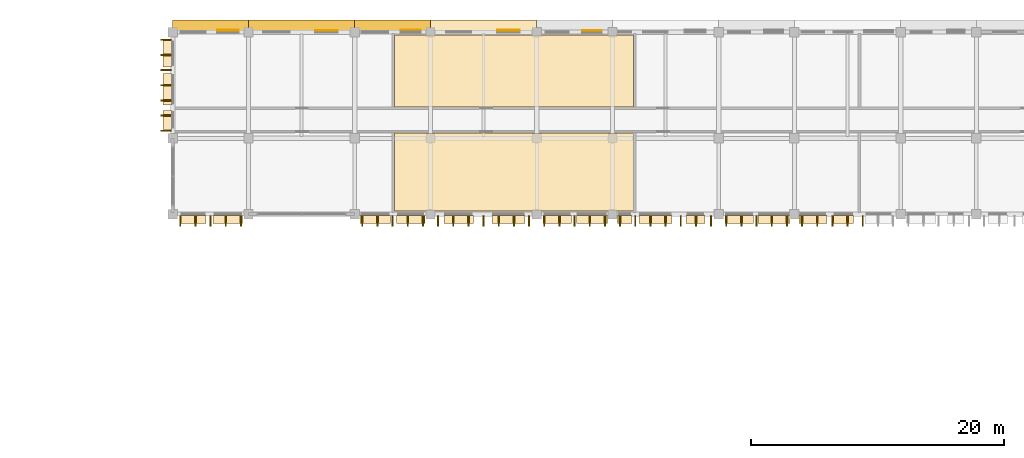
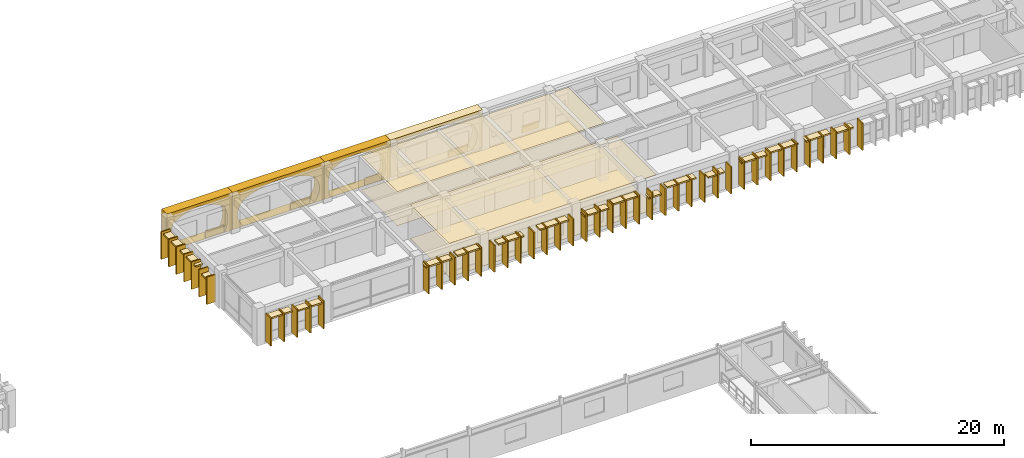
# One storey, part 82 of 88: 77 coverings.
"""IFC4 building model written with IfcOpenShell, lengths in metres."""

import ifcopenshell
import ifcopenshell.guid

model = None  # the IFC model being written
_history = None  # IfcOwnerHistory: only IFC2X3 demands one
_inside = {}  # id of a spatial element -> (the spatial element, [elements in it])
_under = {}  # id of a project, library or spatial element -> (it, [spatial elements below it])
_declared = {}  # id of a project -> (the project, [libraries it declares])
_typed = {}  # id of a type object -> (the type object, [elements of that type])
_made_of = {}  # id of a material, layer set ... -> (it, [elements and type objects made of it])


def new_model(schema):
    """Start an empty IFC model of exactly this schema.

    Asked for "IFC4X3", IfcOpenShell would pick the latest addendum, in which some entities
    have other attributes; the version numbers below select the first issue.
    IFC2X3 requires an IfcOwnerHistory on every rooted entity: one is made here for all.
    """
    global model, _history
    if schema == "IFC4X3":
        model = ifcopenshell.file(schema_version=(4, 3, 0, 0))
    else:
        model = ifcopenshell.file(schema=schema)
    _inside.clear()
    _under.clear()
    _declared.clear()
    _typed.clear()
    _made_of.clear()
    _history = None
    if model.schema == "IFC2X3":
        org = make("IfcOrganization", Name="unknown")
        user = make(
            "IfcPersonAndOrganization",
            ThePerson=make("IfcPerson", FamilyName="unknown"),
            TheOrganization=org,
        )
        app = make(
            "IfcApplication",
            ApplicationDeveloper=org,
            Version="unknown",
            ApplicationFullName="unknown",
            ApplicationIdentifier="unknown",
        )
        _history = make(
            "IfcOwnerHistory",
            OwningUser=user,
            OwningApplication=app,
            ChangeAction="ADDED",
            CreationDate=0,
        )
    return model


def make(cls, **values):
    """One entity of the class cls with the attributes given. An attribute that is None is left unset."""
    return model.create_entity(
        cls, **{name: value for name, value in values.items() if value is not None}
    )


def rooted(cls, **values):
    """An entity with a GlobalId (a new one), such as an element, a storey or a relation."""
    return make(cls, GlobalId=ifcopenshell.guid.new(), OwnerHistory=_history, **values)


def si_unit(unit_type, name, prefix=None):
    """IfcSIUnit, for example si_unit("LENGTHUNIT", "METRE", prefix="MILLI")."""
    return make("IfcSIUnit", UnitType=unit_type, Prefix=prefix, Name=name)


def assignment(units):
    """IfcUnitAssignment: the units of a project."""
    return None if units is None else make("IfcUnitAssignment", Units=units)


def point(xyz):
    """IfcCartesianPoint."""
    return None if xyz is None else make("IfcCartesianPoint", Coordinates=xyz)


def direction(xyz):
    """IfcDirection."""
    return None if xyz is None else make("IfcDirection", DirectionRatios=xyz)


def frame(location, z_axis=None, x_axis=None):
    """IfcAxis2Placement3D, a coordinate frame: its origin and axes. An axis left out is left unset."""
    return make(
        "IfcAxis2Placement3D",
        Location=point(location),
        Axis=direction(z_axis),
        RefDirection=direction(x_axis),
    )


def frame_2d(location, x_axis=None):
    """IfcAxis2Placement2D, a coordinate frame in the plane: its origin and x axis."""
    return make(
        "IfcAxis2Placement2D", Location=point(location), RefDirection=direction(x_axis)
    )


def origin():
    """The frame at (0, 0, 0) with its axes left unset."""
    return frame((0.0, 0.0, 0.0))


def origin_2d():
    """The frame at (0, 0) in the plane with its x axis left unset."""
    return frame_2d((0.0, 0.0))


def place(relative_to, where):
    """IfcLocalPlacement: puts the frame where relative to a parent placement (None: the world)."""
    return make(
        "IfcLocalPlacement", PlacementRelTo=relative_to, RelativePlacement=where
    )


def context(
    kind, dimensions, precision=None, world=None, true_north=None, identifier=None
):
    """IfcGeometricRepresentationContext, for example the 3D "Model" context."""
    return make(
        "IfcGeometricRepresentationContext",
        ContextIdentifier=identifier,
        ContextType=kind,
        CoordinateSpaceDimension=dimensions,
        Precision=precision,
        WorldCoordinateSystem=world,
        TrueNorth=true_north,
    )


def subcontext(parent, identifier, kind, view, scale=None):
    """IfcGeometricRepresentationSubContext, for example "Body" below "Model"."""
    return make(
        "IfcGeometricRepresentationSubContext",
        ContextIdentifier=identifier,
        ContextType=kind,
        ParentContext=parent,
        TargetScale=scale,
        TargetView=view,
    )


def project(units=None, contexts=None):
    """IfcProject with its units and contexts."""
    return rooted(
        "IfcProject",
        Name="project",
        RepresentationContexts=contexts,
        UnitsInContext=assignment(units),
    )


def spatial(cls, under=None, at=None, **own):
    """A site, building, storey or space (cls), placed at a placement, below another one or the project."""
    s = rooted(cls, ObjectPlacement=at, **own)
    if under is not None:
        _under.setdefault(under.id(), (under, []))[1].append(s)
    return s


def polyline(points):
    """IfcPolyline through the points."""
    return make("IfcPolyline", Points=[point(p) for p in points])


def profile(cls, at=None, kind="AREA", **sizes):
    """A parametric profile (cls). Its sizes go by their IFC names, for example OverallWidth=200.0."""
    return make(cls, ProfileType=kind, Position=at, **sizes)


def rectangle(**sizes):
    """IfcRectangleProfileDef."""
    return profile("IfcRectangleProfileDef", **sizes)


def outline(outer, holes=None, kind="AREA"):
    """IfcArbitraryClosedProfileDef: a profile drawn as a closed curve; with holes, ...WithVoids."""
    if holes is None:
        return make("IfcArbitraryClosedProfileDef", ProfileType=kind, OuterCurve=outer)
    return make(
        "IfcArbitraryProfileDefWithVoids",
        ProfileType=kind,
        OuterCurve=outer,
        InnerCurves=holes,
    )


def extrude(swept, where, along, depth):
    """IfcExtrudedAreaSolid: the profile swept, set in the frame where, extruded along a direction by depth."""
    return make(
        "IfcExtrudedAreaSolid",
        SweptArea=swept,
        Position=where,
        ExtrudedDirection=direction(along),
        Depth=depth,
    )


def shape(context_of_items, identifier, shape_type, items):
    """IfcShapeRepresentation: the items that make up one representation, for example the "Body"."""
    return make(
        "IfcShapeRepresentation",
        ContextOfItems=context_of_items,
        RepresentationIdentifier=identifier,
        RepresentationType=shape_type,
        Items=items,
    )


def material(Name=None, Category=None):
    """IfcMaterial."""
    return make("IfcMaterial", Name=Name, Category=Category)


def layer(
    of_material, thickness, ventilated=None, Name=None, Category=None, Priority=None
):
    """IfcMaterialLayer: one layer of a wall or slab, of a material (None: an air gap)."""
    return make(
        "IfcMaterialLayer",
        Material=of_material,
        LayerThickness=thickness,
        IsVentilated=ventilated,
        Name=Name,
        Category=Category,
        Priority=Priority,
    )


def layer_set(layers, Name=None):
    """IfcMaterialLayerSet."""
    return make("IfcMaterialLayerSet", MaterialLayers=layers, LayerSetName=Name)


def made_of(thing, what):
    """Note that an element or type object is made of a material, layer set ...; save() writes the relation."""
    if what is not None:
        _made_of.setdefault(what.id(), (what, []))[1].append(thing)
    return thing


def type_object(cls, material=None, **own):
    """A type object (cls), such as IfcWallType, which elements share."""
    return made_of(rooted(cls, **own), material)


def element(
    cls,
    number,
    at=None,
    inside=None,
    cuts=None,
    type_object=None,
    material=None,
    context=None,
    identifier="Body",
    shape_type=None,
    held_by="IfcProductDefinitionShape",
    body=None,
    shapes=None,
    **own,
):
    """One element of the class cls, such as IfcWall. Its Tag is "e" and its number.

    at: its placement. inside: the storey or other place that contains it. cuts: it is an
    opening in that element (IfcRelVoidsElement). A single representation is given by context,
    identifier, shape_type and body (its items); several are given by shapes. held_by: the class
    of the entity that holds the representations. save() writes the other relations.
    """
    e = rooted(cls, Tag="e%d" % number, ObjectPlacement=at, **own)
    if body is not None:
        shapes = [shape(context, identifier, shape_type, body)]
    if shapes is not None:
        e.Representation = make(held_by, Representations=shapes)
    if inside is not None:
        _inside.setdefault(inside.id(), (inside, []))[1].append(e)
    if cuts is not None:
        rooted(
            "IfcRelVoidsElement", RelatingBuildingElement=cuts, RelatedOpeningElement=e
        )
    if type_object is not None:
        _typed.setdefault(type_object.id(), (type_object, []))[1].append(e)
    return made_of(e, material)


def aggregate(whole, parts):
    """IfcRelAggregates: a whole, such as a stair, and the parts it consists of."""
    return rooted("IfcRelAggregates", RelatingObject=whole, RelatedObjects=parts)


def save(model, path):
    """Write the relations noted so far, then the file.

    IfcRelAggregates (storeys below a building ...), IfcRelContainedInSpatialStructure (elements
    in a storey), IfcRelDefinesByType, IfcRelAssociatesMaterial and IfcRelDeclares: one each for
    every whole, place, type object, material and project.
    """
    for whole, parts in _under.values():
        aggregate(whole, parts)
    for where, things in _inside.values():
        rooted(
            "IfcRelContainedInSpatialStructure",
            RelatedElements=things,
            RelatingStructure=where,
        )
    for kind, things in _typed.values():
        rooted("IfcRelDefinesByType", RelatedObjects=things, RelatingType=kind)
    for what, things in _made_of.values():
        rooted("IfcRelAssociatesMaterial", RelatedObjects=things, RelatingMaterial=what)
    for by, libraries in _declared.values():
        rooted("IfcRelDeclares", RelatingContext=by, RelatedDefinitions=libraries)
    model.write(path)


model = new_model("IFC4")

# Units and contexts
model_context = context("Model", 3, precision=1e-05, world=origin(), true_north=direction((0.0, 1.0)))
body_context = subcontext(model_context, "Body", "Model", "MODEL_VIEW")
ifc_project = project(units=[si_unit("LENGTHUNIT", "METRE"), si_unit("AREAUNIT", "SQUARE_METRE"), si_unit("VOLUMEUNIT", "CUBIC_METRE"), si_unit("PLANEANGLEUNIT", "RADIAN"), si_unit("MASSUNIT", "GRAM", prefix="KILO"), si_unit("THERMODYNAMICTEMPERATUREUNIT", "KELVIN")], contexts=[model_context])

# Site, building, storey
site_placement = place(None, origin())
site = spatial("IfcSite", under=ifc_project, at=site_placement, CompositionType="ELEMENT")
building_placement = place(site_placement, origin())
building = spatial("IfcBuilding", under=site, at=building_placement, Name="Thalorik Housing Commons", CompositionType="ELEMENT")
storey_placement = place(building_placement, frame((0.0, 0.0, 4.5)))
storey = spatial("IfcBuildingStorey", under=building, at=storey_placement, Name="L01", CompositionType="ELEMENT", Elevation=4.5)

# Coverings
ifc_material_1 = material(Name="Cobalt blue glazed ceramic facade tile panel", Category="masonry")
ifc_layer_1 = layer(ifc_material_1, 0.06005859375, Name="Cobalt blue glazed ceramic facade tile panel", Category="masonry")
ifc_layer_set_1 = layer_set([ifc_layer_1], Name="Cobalt blue glazed ceramic facade tile panel")
covering_type_1 = type_object("IfcCoveringType", Name="ARC-CLD-BLU-60", PredefinedType="CLADDING", material=ifc_layer_set_1)
covering_1_placement = place(storey_placement, frame((106.969970703125, 123.742431640625, 0.0498046875), z_axis=(0.0, 0.0, 1.0), x_axis=(-1.0, 0.0, 0.0)))
element("IfcCovering", 1, at=covering_1_placement, inside=storey, type_object=covering_type_1, Name="L01 De Stijl Recessed Window Spandrel 1515", PredefinedType="CLADDING", context=body_context, shape_type="SweptSolid", body=[
    extrude(rectangle(XDim=1.75, YDim=0.06005859375, at=origin_2d()), origin(), (0.0, 0.0, 1.0), 0.699951171875),
])
covering_2_placement = place(storey_placement, frame((84.77001953125, 123.742431640625, 0.0498046875), z_axis=(0.0, 0.0, 1.0), x_axis=(-1.0, 0.0, 0.0)))
element("IfcCovering", 2, at=covering_2_placement, inside=storey, type_object=covering_type_1, Name="L01 De Stijl Recessed Window Spandrel 1521", PredefinedType="CLADDING", context=body_context, shape_type="SweptSolid", body=[
    extrude(rectangle(XDim=1.699951171875, YDim=0.06005859375, at=origin_2d()), origin(), (0.0, 0.0, 1.0), 0.699951171875),
])
ifc_material_2 = material(Name="Precast concrete C40/50", Category="concrete")
ifc_layer_2 = layer(ifc_material_2, 0.85009765625, Name="Precast concrete C40/50", Category="concrete")
ifc_layer_set_2 = layer_set([ifc_layer_2], Name="Precast concrete C40/50")
covering_type_2 = type_object("IfcCoveringType", Name="ARC-CLD-CUSH-850", PredefinedType="CLADDING", material=ifc_layer_set_2)
covering_3_placement = place(storey_placement, frame((105.0, 124.132568359375, 0.0), z_axis=(0.0, 0.0, 1.0), x_axis=(-1.0, 0.0, 0.0)))
element("IfcCovering", 3, at=covering_3_placement, inside=storey, type_object=covering_type_2, Name="L01 White Precast Curved Cushion Bay Frame 1514", PredefinedType="CLADDING", context=body_context, shape_type="SweptSolid", body=[
    extrude(outline(polyline([(-4.199951171875, 0.0), (4.199951171875, 0.0), (4.199951171875, 3.60009765625), (-4.199951171875, 3.60009765625), (-4.199951171875, 0.0)]), holes=[polyline([(3.239990234375, 0.02490234375), (3.523193359375, 0.44921875), (3.693359375, 0.873291015625), (3.75, 1.297607421875), (3.693359375, 1.7216796875), (3.523193359375, 2.145751953125), (3.239990234375, 2.570068359375), (2.699951171875, 2.804443359375), (2.159912109375, 2.98828125), (1.6201171875, 3.1376953125), (1.080078125, 3.248291015625), (0.5400390625, 3.31689453125), (0.0, 3.340087890625), (-0.5400390625, 3.31689453125), (-1.080078125, 3.248291015625), (-1.6201171875, 3.1376953125), (-2.159912109375, 2.98828125), (-2.699951171875, 2.804443359375), (-3.239990234375, 2.570068359375), (-3.523193359375, 2.145751953125), (-3.693359375, 1.7216796875), (-3.75, 1.297607421875), (-3.693359375, 0.873291015625), (-3.523193359375, 0.44921875), (-3.239990234375, 0.02490234375), (3.239990234375, 0.02490234375)])]), frame((0.0, 0.425048828125, 0.0), z_axis=(0.0, -1.0, 0.0), x_axis=(1.0, 0.0, 0.0)), (0.0, 0.0, 1.0), 0.85009765625),
])
covering_4_placement = place(storey_placement, frame((97.800048828125, 124.132568359375, 0.0), z_axis=(0.0, 0.0, 1.0), x_axis=(-1.0, 0.0, 0.0)))
element("IfcCovering", 4, at=covering_4_placement, inside=storey, type_object=covering_type_2, Name="L01 White Precast Curved Cushion Bay Frame 1516", PredefinedType="CLADDING", context=body_context, shape_type="SweptSolid", body=[
    extrude(outline(polyline([(-3.0, 0.0), (3.0, 0.0), (3.0, 3.60009765625), (-3.0, 3.60009765625), (-3.0, 0.0)]), holes=[polyline([(2.47509765625, 0.02490234375), (2.585693359375, 0.4375), (2.65234375, 0.85009765625), (2.674560546875, 1.262451171875), (2.65234375, 1.675048828125), (2.585693359375, 2.08740234375), (2.47509765625, 2.5), (2.080322265625, 2.755615234375), (1.685791015625, 2.956298828125), (1.291259765625, 3.119140625), (0.896728515625, 3.239990234375), (0.502197265625, 3.314697265625), (0.107421875, 3.340087890625), (-0.287109375, 3.314697265625), (-0.681640625, 3.239990234375), (-1.076171875, 3.119140625), (-1.470703125, 2.956298828125), (-1.865478515625, 2.755615234375), (-2.260009765625, 2.5), (-2.421142578125, 2.08740234375), (-2.517822265625, 1.675048828125), (-2.550048828125, 1.262451171875), (-2.517822265625, 0.85009765625), (-2.421142578125, 0.4375), (-2.260009765625, 0.02490234375), (2.47509765625, 0.02490234375)])]), frame((0.0, 0.425048828125, 0.0), z_axis=(0.0, -1.0, 0.0), x_axis=(1.0, 0.0, 0.0)), (0.0, 0.0, 1.0), 0.85009765625),
])
covering_5_placement = place(storey_placement, frame((90.60009765625, 124.132568359375, 0.0), z_axis=(0.0, 0.0, 1.0), x_axis=(-1.0, 0.0, 0.0)))
element("IfcCovering", 5, at=covering_5_placement, inside=storey, type_object=covering_type_2, Name="L01 White Precast Curved Cushion Bay Frame 1518", PredefinedType="CLADDING", context=body_context, shape_type="SweptSolid", body=[
    extrude(outline(polyline([(-4.199951171875, 0.0), (4.199951171875, 0.0), (4.199951171875, 3.60009765625), (-4.199951171875, 3.60009765625), (-4.199951171875, 0.0)]), holes=[polyline([(3.239990234375, 0.02490234375), (3.523193359375, 0.44091796875), (3.693359375, 0.856689453125), (3.75, 1.2724609375), (3.693359375, 1.688232421875), (3.523193359375, 2.104248046875), (3.239990234375, 2.52001953125), (2.699951171875, 2.76953125), (2.159912109375, 2.965576171875), (1.6201171875, 3.12451171875), (1.080078125, 3.242431640625), (0.5400390625, 3.3154296875), (0.0, 3.340087890625), (-0.5400390625, 3.3154296875), (-1.080078125, 3.242431640625), (-1.6201171875, 3.12451171875), (-2.159912109375, 2.965576171875), (-2.699951171875, 2.76953125), (-3.239990234375, 2.52001953125), (-3.523193359375, 2.104248046875), (-3.693359375, 1.688232421875), (-3.75, 1.2724609375), (-3.693359375, 0.856689453125), (-3.523193359375, 0.44091796875), (-3.239990234375, 0.02490234375), (3.239990234375, 0.02490234375)])]), frame((0.0, 0.425048828125, 0.0), z_axis=(0.0, -1.0, 0.0), x_axis=(1.0, 0.0, 0.0)), (0.0, 0.0, 1.0), 0.85009765625),
])
covering_6_placement = place(storey_placement, frame((83.39990234375, 124.132568359375, 0.0), z_axis=(0.0, 0.0, 1.0), x_axis=(-1.0, 0.0, 0.0)))
element("IfcCovering", 6, at=covering_6_placement, inside=storey, type_object=covering_type_2, Name="L01 White Precast Curved Cushion Bay Frame 1520", PredefinedType="CLADDING", context=body_context, shape_type="SweptSolid", body=[
    extrude(outline(polyline([(-3.0, 0.0), (3.0, 0.0), (3.0, 3.60009765625), (-3.0, 3.60009765625), (-3.0, 0.0)]), holes=[polyline([(2.419921875, 0.02490234375), (2.54248046875, 0.4375), (2.615966796875, 0.85009765625), (2.640380859375, 1.262451171875), (2.615966796875, 1.675048828125), (2.54248046875, 2.08740234375), (2.419921875, 2.5), (2.029296875, 2.755615234375), (1.63818359375, 2.956298828125), (1.24755859375, 3.119140625), (0.856689453125, 3.239990234375), (0.4658203125, 3.314697265625), (0.074951171875, 3.340087890625), (-0.31591796875, 3.314697265625), (-0.706787109375, 3.239990234375), (-1.097412109375, 3.119140625), (-1.48828125, 2.956298828125), (-1.879150390625, 2.755615234375), (-2.27001953125, 2.5), (-2.425537109375, 2.08740234375), (-2.518798828125, 1.675048828125), (-2.550048828125, 1.262451171875), (-2.518798828125, 0.85009765625), (-2.425537109375, 0.4375), (-2.27001953125, 0.02490234375), (2.419921875, 0.02490234375)])]), frame((0.0, 0.425048828125, 0.0), z_axis=(0.0, -1.0, 0.0), x_axis=(1.0, 0.0, 0.0)), (0.0, 0.0, 1.0), 0.85009765625),
])
ifc_layer_3 = layer(ifc_material_2, 0.85009765625, Name="Precast concrete C40/50", Category="concrete")
ifc_layer_set_3 = layer_set([ifc_layer_3], Name="Precast concrete C40/50")
covering_type_3 = type_object("IfcCoveringType", Name="ARC-CLD-FIN-850", PredefinedType="CLADDING", material=ifc_layer_set_3)
for number, where, z_axis, x_axis, name in (
    (7, (79.867431640625, 123.0, 0.0400390625), (0.0, 0.0, 1.0), (0.0, -1.0, 0.0), "L01 Courtyard Precast Vertical Brise-Soleil Fin 1522"),
    (8, (79.867431640625, 121.800048828125, 0.0400390625), (0.0, 0.0, 1.0), (0.0, -1.0, 0.0), "L01 Courtyard Precast Vertical Brise-Soleil Fin 1523"),
    (9, (79.867431640625, 120.60009765625, 0.0400390625), (0.0, 0.0, 1.0), (0.0, -1.0, 0.0), "L01 Courtyard Precast Vertical Brise-Soleil Fin 1524"),
    (10, (79.867431640625, 119.39990234375, 0.0400390625), (0.0, 0.0, 1.0), (0.0, -1.0, 0.0), "L01 Courtyard Precast Vertical Brise-Soleil Fin 1525"),
    (11, (79.867431640625, 118.199951171875, 0.0400390625), (0.0, 0.0, 1.0), (0.0, -1.0, 0.0), "L01 Courtyard Precast Vertical Brise-Soleil Fin 1526"),
    (12, (79.867431640625, 117.0, 0.0400390625), (0.0, 0.0, 1.0), (0.0, -1.0, 0.0), "L01 Courtyard Precast Vertical Brise-Soleil Fin 1527"),
    (13, (79.867431640625, 115.800048828125, 0.0400390625), (0.0, 0.0, 1.0), (0.0, -1.0, 0.0), "L01 Courtyard Precast Vertical Brise-Soleil Fin 1528"),
):
    element("IfcCovering", number, at=place(storey_placement, frame(where, z_axis=z_axis, x_axis=x_axis)), inside=storey, type_object=covering_type_3, Name=name, PredefinedType="CLADDING", context=body_context, shape_type="SweptSolid", body=[
        extrude(rectangle(XDim=0.110107421875, YDim=0.85009765625, at=origin_2d()), origin(), (0.0, 0.0, 1.0), 2.64501953125),
    ])
for number, where, z_axis, x_axis, name in (
    (14, (81.0, 108.66748046875, 0.0400390625), (0.0, 0.0, 1.0), (1.0, 0.0, 0.0), "L01 Courtyard Precast Vertical Brise-Soleil Fin 1532"),
    (15, (82.199951171875, 108.66748046875, 0.0400390625), (0.0, 0.0, 1.0), (1.0, 0.0, 0.0), "L01 Courtyard Precast Vertical Brise-Soleil Fin 1533"),
    (16, (83.39990234375, 108.66748046875, 0.0400390625), (0.0, 0.0, 1.0), (1.0, 0.0, 0.0), "L01 Courtyard Precast Vertical Brise-Soleil Fin 1534"),
    (17, (84.60009765625, 108.66748046875, 0.0400390625), (0.0, 0.0, 1.0), (1.0, 0.0, 0.0), "L01 Courtyard Precast Vertical Brise-Soleil Fin 1535"),
    (18, (85.800048828125, 108.66748046875, 0.0400390625), (0.0, 0.0, 1.0), (1.0, 0.0, 0.0), "L01 Courtyard Precast Vertical Brise-Soleil Fin 1536"),
    (19, (95.39990234375, 108.66748046875, 0.0400390625), (0.0, 0.0, 1.0), (1.0, 0.0, 0.0), "L01 Courtyard Precast Vertical Brise-Soleil Fin 1539"),
    (20, (96.60009765625, 108.66748046875, 0.0400390625), (0.0, 0.0, 1.0), (1.0, 0.0, 0.0), "L01 Courtyard Precast Vertical Brise-Soleil Fin 1540"),
    (21, (97.800048828125, 108.66748046875, 0.0400390625), (0.0, 0.0, 1.0), (1.0, 0.0, 0.0), "L01 Courtyard Precast Vertical Brise-Soleil Fin 1541"),
    (22, (99.0, 108.66748046875, 0.0400390625), (0.0, 0.0, 1.0), (1.0, 0.0, 0.0), "L01 Courtyard Precast Vertical Brise-Soleil Fin 1542"),
    (23, (100.199951171875, 108.66748046875, 0.0400390625), (0.0, 0.0, 1.0), (1.0, 0.0, 0.0), "L01 Courtyard Precast Vertical Brise-Soleil Fin 1543"),
):
    element("IfcCovering", number, at=place(storey_placement, frame(where, z_axis=z_axis, x_axis=x_axis)), inside=storey, type_object=covering_type_3, Name=name, PredefinedType="CLADDING", context=body_context, shape_type="SweptSolid", body=[
        extrude(rectangle(XDim=0.110107421875, YDim=0.85009765625, at=origin_2d()), origin(), (0.0, 0.0, 1.0), 2.695068359375),
    ])
for number, where, z_axis, x_axis, name in (
    (24, (101.39990234375, 108.66748046875, 0.0400390625), (0.0, 0.0, 1.0), (1.0, 0.0, 0.0), "L01 Courtyard Precast Vertical Brise-Soleil Fin 1546"),
    (25, (102.60009765625, 108.66748046875, 0.0400390625), (0.0, 0.0, 1.0), (1.0, 0.0, 0.0), "L01 Courtyard Precast Vertical Brise-Soleil Fin 1547"),
    (26, (103.800048828125, 108.66748046875, 0.0400390625), (0.0, 0.0, 1.0), (1.0, 0.0, 0.0), "L01 Courtyard Precast Vertical Brise-Soleil Fin 1548"),
    (27, (105.0, 108.66748046875, 0.0400390625), (0.0, 0.0, 1.0), (1.0, 0.0, 0.0), "L01 Courtyard Precast Vertical Brise-Soleil Fin 1549"),
    (28, (106.199951171875, 108.66748046875, 0.0400390625), (0.0, 0.0, 1.0), (1.0, 0.0, 0.0), "L01 Courtyard Precast Vertical Brise-Soleil Fin 1550"),
    (29, (107.39990234375, 108.66748046875, 0.0400390625), (0.0, 0.0, 1.0), (1.0, 0.0, 0.0), "L01 Courtyard Precast Vertical Brise-Soleil Fin 1551"),
    (30, (108.60009765625, 108.66748046875, 0.0400390625), (0.0, 0.0, 1.0), (1.0, 0.0, 0.0), "L01 Courtyard Precast Vertical Brise-Soleil Fin 1552"),
):
    element("IfcCovering", number, at=place(storey_placement, frame(where, z_axis=z_axis, x_axis=x_axis)), inside=storey, type_object=covering_type_3, Name=name, PredefinedType="CLADDING", context=body_context, shape_type="SweptSolid", body=[
        extrude(rectangle(XDim=0.110107421875, YDim=0.85009765625, at=origin_2d()), origin(), (0.0, 0.0, 1.0), 2.594970703125),
    ])
for number, where, z_axis, x_axis, name in (
    (31, (109.800048828125, 108.66748046875, 0.0400390625), (0.0, 0.0, 1.0), (1.0, 0.0, 0.0), "L01 Courtyard Precast Vertical Brise-Soleil Fin 1555"),
    (32, (111.0, 108.66748046875, 0.0400390625), (0.0, 0.0, 1.0), (1.0, 0.0, 0.0), "L01 Courtyard Precast Vertical Brise-Soleil Fin 1556"),
    (33, (112.199951171875, 108.66748046875, 0.0400390625), (0.0, 0.0, 1.0), (1.0, 0.0, 0.0), "L01 Courtyard Precast Vertical Brise-Soleil Fin 1557"),
    (34, (113.39990234375, 108.66748046875, 0.0400390625), (0.0, 0.0, 1.0), (1.0, 0.0, 0.0), "L01 Courtyard Precast Vertical Brise-Soleil Fin 1558"),
    (35, (114.60009765625, 108.66748046875, 0.0400390625), (0.0, 0.0, 1.0), (1.0, 0.0, 0.0), "L01 Courtyard Precast Vertical Brise-Soleil Fin 1559"),
):
    element("IfcCovering", number, at=place(storey_placement, frame(where, z_axis=z_axis, x_axis=x_axis)), inside=storey, type_object=covering_type_3, Name=name, PredefinedType="CLADDING", context=body_context, shape_type="SweptSolid", body=[
        extrude(rectangle(XDim=0.110107421875, YDim=0.85009765625, at=origin_2d()), origin(), (0.0, 0.0, 1.0), 2.695068359375),
    ])
for number, where, z_axis, x_axis, name in (
    (36, (115.800048828125, 108.66748046875, 0.0400390625), (0.0, 0.0, 1.0), (1.0, 0.0, 0.0), "L01 Courtyard Precast Vertical Brise-Soleil Fin 1562"),
    (37, (117.0, 108.66748046875, 0.0400390625), (0.0, 0.0, 1.0), (1.0, 0.0, 0.0), "L01 Courtyard Precast Vertical Brise-Soleil Fin 1563"),
    (38, (118.199951171875, 108.66748046875, 0.0400390625), (0.0, 0.0, 1.0), (1.0, 0.0, 0.0), "L01 Courtyard Precast Vertical Brise-Soleil Fin 1564"),
    (39, (119.39990234375, 108.66748046875, 0.0400390625), (0.0, 0.0, 1.0), (1.0, 0.0, 0.0), "L01 Courtyard Precast Vertical Brise-Soleil Fin 1565"),
    (40, (120.60009765625, 108.66748046875, 0.0400390625), (0.0, 0.0, 1.0), (1.0, 0.0, 0.0), "L01 Courtyard Precast Vertical Brise-Soleil Fin 1566"),
    (41, (121.800048828125, 108.66748046875, 0.0400390625), (0.0, 0.0, 1.0), (1.0, 0.0, 0.0), "L01 Courtyard Precast Vertical Brise-Soleil Fin 1567"),
    (42, (123.0, 108.66748046875, 0.0400390625), (0.0, 0.0, 1.0), (1.0, 0.0, 0.0), "L01 Courtyard Precast Vertical Brise-Soleil Fin 1568"),
):
    element("IfcCovering", number, at=place(storey_placement, frame(where, z_axis=z_axis, x_axis=x_axis)), inside=storey, type_object=covering_type_3, Name=name, PredefinedType="CLADDING", context=body_context, shape_type="SweptSolid", body=[
        extrude(rectangle(XDim=0.110107421875, YDim=0.85009765625, at=origin_2d()), origin(), (0.0, 0.0, 1.0), 2.594970703125),
    ])
for number, where, z_axis, x_axis, name in (
    (43, (124.199951171875, 108.66748046875, 0.0400390625), (0.0, 0.0, 1.0), (1.0, 0.0, 0.0), "L01 Courtyard Precast Vertical Brise-Soleil Fin 1572"),
    (44, (125.39990234375, 108.66748046875, 0.0400390625), (0.0, 0.0, 1.0), (1.0, 0.0, 0.0), "L01 Courtyard Precast Vertical Brise-Soleil Fin 1573"),
    (45, (126.60009765625, 108.66748046875, 0.0400390625), (0.0, 0.0, 1.0), (1.0, 0.0, 0.0), "L01 Courtyard Precast Vertical Brise-Soleil Fin 1574"),
    (46, (127.800048828125, 108.66748046875, 0.0400390625), (0.0, 0.0, 1.0), (1.0, 0.0, 0.0), "L01 Courtyard Precast Vertical Brise-Soleil Fin 1575"),
    (47, (129.0, 108.66748046875, 0.0400390625), (0.0, 0.0, 1.0), (1.0, 0.0, 0.0), "L01 Courtyard Precast Vertical Brise-Soleil Fin 1576"),
):
    element("IfcCovering", number, at=place(storey_placement, frame(where, z_axis=z_axis, x_axis=x_axis)), inside=storey, type_object=covering_type_3, Name=name, PredefinedType="CLADDING", context=body_context, shape_type="SweptSolid", body=[
        extrude(rectangle(XDim=0.110107421875, YDim=0.85009765625, at=origin_2d()), origin(), (0.0, 0.0, 1.0), 2.695068359375),
    ])
for number, where, z_axis, x_axis, name in (
    (48, (130.199951171875, 108.66748046875, 0.0400390625), (0.0, 0.0, 1.0), (1.0, 0.0, 0.0), "L01 Courtyard Precast Vertical Brise-Soleil Fin 1579"),
    (49, (131.39990234375, 108.66748046875, 0.0400390625), (0.0, 0.0, 1.0), (1.0, 0.0, 0.0), "L01 Courtyard Precast Vertical Brise-Soleil Fin 1580"),
    (50, (132.60009765625, 108.66748046875, 0.0400390625), (0.0, 0.0, 1.0), (1.0, 0.0, 0.0), "L01 Courtyard Precast Vertical Brise-Soleil Fin 1581"),
    (51, (133.800048828125, 108.66748046875, 0.0400390625), (0.0, 0.0, 1.0), (1.0, 0.0, 0.0), "L01 Courtyard Precast Vertical Brise-Soleil Fin 1582"),
    (52, (135.0, 108.66748046875, 0.0400390625), (0.0, 0.0, 1.0), (1.0, 0.0, 0.0), "L01 Courtyard Precast Vertical Brise-Soleil Fin 1583"),
):
    element("IfcCovering", number, at=place(storey_placement, frame(where, z_axis=z_axis, x_axis=x_axis)), inside=storey, type_object=covering_type_3, Name=name, PredefinedType="CLADDING", context=body_context, shape_type="SweptSolid", body=[
        extrude(rectangle(XDim=0.110107421875, YDim=0.85009765625, at=origin_2d()), origin(), (0.0, 0.0, 1.0), 2.594970703125),
    ])
ifc_layer_4 = layer(ifc_material_2, 0.64990234375, Name="Precast concrete C40/50", Category="concrete")
ifc_layer_set_4 = layer_set([ifc_layer_4], Name="Precast concrete C40/50")
covering_type_4 = type_object("IfcCoveringType", Name="ARC-CLD-HOOD-650", PredefinedType="CLADDING", material=ifc_layer_set_4)
covering_7_placement = place(storey_placement, frame((79.967529296875, 121.91748046875, 2.31005859375), z_axis=(0.0, 0.0, 1.0), x_axis=(0.0, -1.0, 0.0)))
element("IfcCovering", 53, at=covering_7_placement, inside=storey, type_object=covering_type_4, Name="L01 Courtyard Precast Window Sun-Hood 1529", PredefinedType="CLADDING", context=body_context, shape_type="SweptSolid", body=[
    extrude(rectangle(XDim=2.1201171875, YDim=0.64990234375, at=origin_2d()), origin(), (0.0, 0.0, 1.0), 0.139892578125),
])
covering_8_placement = place(storey_placement, frame((79.967529296875, 119.072509765625, 2.31005859375), z_axis=(0.0, 0.0, 1.0), x_axis=(0.0, -1.0, 0.0)))
element("IfcCovering", 54, at=covering_8_placement, inside=storey, type_object=covering_type_4, Name="L01 Courtyard Precast Window Sun-Hood 1530", PredefinedType="CLADDING", context=body_context, shape_type="SweptSolid", body=[
    extrude(rectangle(XDim=2.47998046875, YDim=0.64990234375, at=origin_2d()), origin(), (0.0, 0.0, 1.0), 0.139892578125),
])
covering_9_placement = place(storey_placement, frame((79.967529296875, 116.64990234375, 2.08984375), z_axis=(0.0, 0.0, 1.0), x_axis=(0.0, -1.0, 0.0)))
element("IfcCovering", 55, at=covering_9_placement, inside=storey, type_object=covering_type_4, Name="L01 Courtyard Precast Window Sun-Hood 1531", PredefinedType="CLADDING", context=body_context, shape_type="SweptSolid", body=[
    extrude(rectangle(XDim=1.489990234375, YDim=0.64990234375, at=origin_2d()), origin(), (0.0, 0.0, 1.0), 0.139892578125),
])
covering_10_placement = place(storey_placement, frame((82.030029296875, 108.767578125, 2.490234375), z_axis=(0.0, 0.0, 1.0), x_axis=(1.0, 0.0, 0.0)))
element("IfcCovering", 56, at=covering_10_placement, inside=storey, type_object=covering_type_4, Name="L01 Courtyard Precast Window Sun-Hood 1537", PredefinedType="CLADDING", context=body_context, shape_type="SweptSolid", body=[
    extrude(rectangle(XDim=2.0400390625, YDim=0.64990234375, at=origin_2d()), origin(), (0.0, 0.0, 1.0), 0.139892578125),
])
covering_11_placement = place(storey_placement, frame((84.77001953125, 108.767578125, 2.33984375), z_axis=(0.0, 0.0, 1.0), x_axis=(1.0, 0.0, 0.0)))
element("IfcCovering", 57, at=covering_11_placement, inside=storey, type_object=covering_type_4, Name="L01 Courtyard Precast Window Sun-Hood 1538", PredefinedType="CLADDING", context=body_context, shape_type="SweptSolid", body=[
    extrude(rectangle(XDim=2.340087890625, YDim=0.64990234375, at=origin_2d()), origin(), (0.0, 0.0, 1.0), 0.139892578125),
])
covering_12_placement = place(storey_placement, frame((96.425048828125, 108.767578125, 2.43994140625), z_axis=(0.0, 0.0, 1.0), x_axis=(1.0, 0.0, 0.0)))
element("IfcCovering", 58, at=covering_12_placement, inside=storey, type_object=covering_type_4, Name="L01 Courtyard Precast Window Sun-Hood 1544", PredefinedType="CLADDING", context=body_context, shape_type="SweptSolid", body=[
    extrude(rectangle(XDim=2.389892578125, YDim=0.64990234375, at=origin_2d()), origin(), (0.0, 0.0, 1.0), 0.139892578125),
])
covering_13_placement = place(storey_placement, frame((99.235107421875, 108.767578125, 2.5400390625), z_axis=(0.0, 0.0, 1.0), x_axis=(1.0, 0.0, 0.0)))
element("IfcCovering", 59, at=covering_13_placement, inside=storey, type_object=covering_type_4, Name="L01 Courtyard Precast Window Sun-Hood 1545", PredefinedType="CLADDING", context=body_context, shape_type="SweptSolid", body=[
    extrude(rectangle(XDim=2.239990234375, YDim=0.64990234375, at=origin_2d()), origin(), (0.0, 0.0, 1.0), 0.139892578125),
])
covering_14_placement = place(storey_placement, frame((103.030029296875, 108.767578125, 2.33984375), z_axis=(0.0, 0.0, 1.0), x_axis=(1.0, 0.0, 0.0)))
element("IfcCovering", 60, at=covering_14_placement, inside=storey, type_object=covering_type_4, Name="L01 Courtyard Precast Window Sun-Hood 1553", PredefinedType="CLADDING", context=body_context, shape_type="SweptSolid", body=[
    extrude(rectangle(XDim=2.340087890625, YDim=0.64990234375, at=origin_2d()), origin(), (0.0, 0.0, 1.0), 0.139892578125),
])
covering_15_placement = place(storey_placement, frame((106.969970703125, 108.767578125, 2.43994140625), z_axis=(0.0, 0.0, 1.0), x_axis=(1.0, 0.0, 0.0)))
element("IfcCovering", 61, at=covering_15_placement, inside=storey, type_object=covering_type_4, Name="L01 Courtyard Precast Window Sun-Hood 1554", PredefinedType="CLADDING", context=body_context, shape_type="SweptSolid", body=[
    extrude(rectangle(XDim=2.639892578125, YDim=0.64990234375, at=origin_2d()), origin(), (0.0, 0.0, 1.0), 0.139892578125),
])
covering_16_placement = place(storey_placement, frame((110.830078125, 108.767578125, 2.2900390625), z_axis=(0.0, 0.0, 1.0), x_axis=(1.0, 0.0, 0.0)))
element("IfcCovering", 62, at=covering_16_placement, inside=storey, type_object=covering_type_4, Name="L01 Courtyard Precast Window Sun-Hood 1560", PredefinedType="CLADDING", context=body_context, shape_type="SweptSolid", body=[
    extrude(rectangle(XDim=2.239990234375, YDim=0.64990234375, at=origin_2d()), origin(), (0.0, 0.0, 1.0), 0.139892578125),
])
covering_17_placement = place(storey_placement, frame((113.570068359375, 108.767578125, 2.5400390625), z_axis=(0.0, 0.0, 1.0), x_axis=(1.0, 0.0, 0.0)))
element("IfcCovering", 63, at=covering_17_placement, inside=storey, type_object=covering_type_4, Name="L01 Courtyard Precast Window Sun-Hood 1561", PredefinedType="CLADDING", context=body_context, shape_type="SweptSolid", body=[
    extrude(rectangle(XDim=2.43994140625, YDim=0.64990234375, at=origin_2d()), origin(), (0.0, 0.0, 1.0), 0.139892578125),
])
covering_18_placement = place(storey_placement, frame((116.169921875, 108.767578125, 1.990234375), z_axis=(0.0, 0.0, 1.0), x_axis=(1.0, 0.0, 0.0)))
element("IfcCovering", 64, at=covering_18_placement, inside=storey, type_object=covering_type_4, Name="L01 Courtyard Precast Window Sun-Hood 1569", PredefinedType="CLADDING", context=body_context, shape_type="SweptSolid", body=[
    extrude(rectangle(XDim=1.139892578125, YDim=0.64990234375, at=origin_2d()), origin(), (0.0, 0.0, 1.0), 0.139892578125),
])
covering_19_placement = place(storey_placement, frame((118.60009765625, 108.767578125, 2.43994140625), z_axis=(0.0, 0.0, 1.0), x_axis=(1.0, 0.0, 0.0)))
element("IfcCovering", 65, at=covering_19_placement, inside=storey, type_object=covering_type_4, Name="L01 Courtyard Precast Window Sun-Hood 1570", PredefinedType="CLADDING", context=body_context, shape_type="SweptSolid", body=[
    extrude(rectangle(XDim=2.639892578125, YDim=0.64990234375, at=origin_2d()), origin(), (0.0, 0.0, 1.0), 0.139892578125),
])
covering_20_placement = place(storey_placement, frame((121.760009765625, 108.767578125, 2.08984375), z_axis=(0.0, 0.0, 1.0), x_axis=(1.0, 0.0, 0.0)))
element("IfcCovering", 66, at=covering_20_placement, inside=storey, type_object=covering_type_4, Name="L01 Courtyard Precast Window Sun-Hood 1571", PredefinedType="CLADDING", context=body_context, shape_type="SweptSolid", body=[
    extrude(rectangle(XDim=1.489990234375, YDim=0.64990234375, at=origin_2d()), origin(), (0.0, 0.0, 1.0), 0.139892578125),
])
covering_21_placement = place(storey_placement, frame((125.22998046875, 108.767578125, 2.39013671875), z_axis=(0.0, 0.0, 1.0), x_axis=(1.0, 0.0, 0.0)))
element("IfcCovering", 67, at=covering_21_placement, inside=storey, type_object=covering_type_4, Name="L01 Courtyard Precast Window Sun-Hood 1577", PredefinedType="CLADDING", context=body_context, shape_type="SweptSolid", body=[
    extrude(rectangle(XDim=2.2900390625, YDim=0.64990234375, at=origin_2d()), origin(), (0.0, 0.0, 1.0), 0.139892578125),
])
covering_22_placement = place(storey_placement, frame((127.969970703125, 108.767578125, 2.490234375), z_axis=(0.0, 0.0, 1.0), x_axis=(1.0, 0.0, 0.0)))
element("IfcCovering", 68, at=covering_22_placement, inside=storey, type_object=covering_type_4, Name="L01 Courtyard Precast Window Sun-Hood 1578", PredefinedType="CLADDING", context=body_context, shape_type="SweptSolid", body=[
    extrude(rectangle(XDim=2.5400390625, YDim=0.64990234375, at=origin_2d()), origin(), (0.0, 0.0, 1.0), 0.139892578125),
])
covering_23_placement = place(storey_placement, frame((131.0625, 108.767578125, 2.43994140625), z_axis=(0.0, 0.0, 1.0), x_axis=(1.0, 0.0, 0.0)))
element("IfcCovering", 69, at=covering_23_placement, inside=storey, type_object=covering_type_4, Name="L01 Courtyard Precast Window Sun-Hood 1586", PredefinedType="CLADDING", context=body_context, shape_type="SweptSolid", body=[
    extrude(rectangle(XDim=2.18994140625, YDim=0.64990234375, at=origin_2d()), origin(), (0.0, 0.0, 1.0), 0.139892578125),
])
covering_24_placement = place(storey_placement, frame((133.467529296875, 108.767578125, 2.27001953125), z_axis=(0.0, 0.0, 1.0), x_axis=(1.0, 0.0, 0.0)))
element("IfcCovering", 70, at=covering_24_placement, inside=storey, type_object=covering_type_4, Name="L01 Courtyard Precast Window Sun-Hood 1587", PredefinedType="CLADDING", context=body_context, shape_type="SweptSolid", body=[
    extrude(rectangle(XDim=1.6201171875, YDim=0.64990234375, at=origin_2d()), origin(), (0.0, 0.0, 1.0), 0.139892578125),
])
ifc_material_3 = material(Name="Terracotta red mineral fibre-cement panel", Category="masonry")
ifc_layer_5 = layer(ifc_material_3, 0.054931640625, Name="Terracotta red mineral fibre-cement panel", Category="masonry")
ifc_layer_set_5 = layer_set([ifc_layer_5], Name="Terracotta red mineral fibre-cement panel")
covering_type_5 = type_object("IfcCoveringType", Name="ARC-CLD-RED-55", PredefinedType="CLADDING", material=ifc_layer_set_5)
covering_25_placement = place(storey_placement, frame((113.570068359375, 123.739990234375, 0.0498046875), z_axis=(0.0, 0.0, 1.0), x_axis=(-1.0, 0.0, 0.0)))
element("IfcCovering", 71, at=covering_25_placement, inside=storey, type_object=covering_type_5, Name="L01 De Stijl Recessed Window Spandrel 1513", PredefinedType="CLADDING", context=body_context, shape_type="SweptSolid", body=[
    extrude(rectangle(XDim=1.550048828125, YDim=0.054931640625, at=origin_2d()), origin(), (0.0, 0.0, 1.0), 0.699951171875),
])
covering_26_placement = place(storey_placement, frame((92.570068359375, 123.739990234375, 0.0498046875), z_axis=(0.0, 0.0, 1.0), x_axis=(-1.0, 0.0, 0.0)))
element("IfcCovering", 72, at=covering_26_placement, inside=storey, type_object=covering_type_5, Name="L01 De Stijl Recessed Window Spandrel 1519", PredefinedType="CLADDING", context=body_context, shape_type="SweptSolid", body=[
    extrude(rectangle(XDim=1.800048828125, YDim=0.054931640625, at=origin_2d()), origin(), (0.0, 0.0, 1.0), 0.699951171875),
])
ifc_material_4 = material(Name="Mineral ochre architectural terracotta panel", Category="masonry")
ifc_layer_6 = layer(ifc_material_4, 0.06494140625, Name="Mineral ochre architectural terracotta panel", Category="masonry")
ifc_layer_set_6 = layer_set([ifc_layer_6], Name="Mineral ochre architectural terracotta panel")
covering_type_6 = type_object("IfcCoveringType", Name="ARC-CLD-YEL-65", PredefinedType="CLADDING", material=ifc_layer_set_6)
covering_27_placement = place(storey_placement, frame((99.235107421875, 123.7451171875, 0.0498046875), z_axis=(0.0, 0.0, 1.0), x_axis=(-1.0, 0.0, 0.0)))
element("IfcCovering", 73, at=covering_27_placement, inside=storey, type_object=covering_type_6, Name="L01 De Stijl Recessed Window Spandrel 1517", PredefinedType="CLADDING", context=body_context, shape_type="SweptSolid", body=[
    extrude(rectangle(XDim=1.550048828125, YDim=0.06494140625, at=origin_2d()), origin(), (0.0, 0.0, 1.0), 0.699951171875),
])
ifc_material_5 = material(Name="Perforated acoustic gypsum ceiling board")
ifc_layer_7 = layer(ifc_material_5, 0.014892578125, Name="Perforated acoustic gypsum ceiling board")
ifc_layer_set_7 = layer_set([ifc_layer_7], Name="Perforated acoustic gypsum ceiling board")
covering_type_7 = type_object("IfcCoveringType", Name="ARC-COV-CEIL-01", PredefinedType="CEILING", material=ifc_layer_set_7)
covering_28_placement = place(storey_placement, frame((0.0, 0.0, 3.284912109375)))
element("IfcCovering", 74, at=covering_28_placement, inside=storey, type_object=covering_type_7, Name="L01 Ceramics and Print Workshop Suspended Ceiling", PredefinedType="CEILING", context=body_context, shape_type="SweptSolid", body=[
    extrude(outline(polyline([(116.8701171875, 117.659912109375), (116.8701171875, 123.360107421875), (97.93994140625, 123.360107421875), (97.93994140625, 117.659912109375), (116.8701171875, 117.659912109375)])), origin(), (0.0, 0.0, 1.0), 0.01513671875),
])
ifc_material_6 = material(Name="Acoustic wood-wool nursery ceiling panel", Category="wood")
ifc_layer_8 = layer(ifc_material_6, 0.035888671875, Name="Acoustic wood-wool nursery ceiling panel", Category="wood")
ifc_layer_set_8 = layer_set([ifc_layer_8], Name="Acoustic wood-wool nursery ceiling panel")
covering_type_8 = type_object("IfcCoveringType", Name="ARC-COV-CEIL-06", PredefinedType="CEILING", material=ifc_layer_set_8)
covering_29_placement = place(storey_placement, frame((0.0, 0.0, 3.263916015625)))
element("IfcCovering", 75, at=covering_29_placement, inside=storey, type_object=covering_type_8, Name="L01 Shared Sewing Workshop Suspended Ceiling", PredefinedType="CEILING", context=body_context, shape_type="SweptSolid", body=[
    extrude(outline(polyline([(116.8701171875, 109.43994140625), (116.8701171875, 115.639892578125), (97.93994140625, 115.639892578125), (97.93994140625, 109.43994140625), (116.8701171875, 109.43994140625)])), origin(), (0.0, 0.0, 1.0), 0.0361328125),
])
ifc_material_7 = material(Name="Glazed Recife ceramic apartment floor tile")
ifc_layer_9 = layer(ifc_material_7, 0.011962890625, Name="Glazed Recife ceramic apartment floor tile")
ifc_layer_set_9 = layer_set([ifc_layer_9], Name="Glazed Recife ceramic apartment floor tile")
covering_type_9 = type_object("IfcCoveringType", Name="ARC-COV-FLR-01", PredefinedType="FLOORING", material=ifc_layer_set_9)
covering_30_placement = place(storey_placement, origin())
element("IfcCovering", 76, at=covering_30_placement, inside=storey, type_object=covering_type_9, Name="L01 Ceramics and Print Workshop Flooring", PredefinedType="FLOORING", context=body_context, shape_type="SweptSolid", body=[
    extrude(outline(polyline([(116.8701171875, 117.659912109375), (116.8701171875, 123.360107421875), (97.93994140625, 123.360107421875), (97.93994140625, 117.659912109375), (116.8701171875, 117.659912109375)])), origin(), (0.0, 0.0, 1.0), 0.011962890625),
])
ifc_material_8 = material(Name="Epoxy-sealed concrete plant and bicycle hub finish", Category="concrete")
ifc_layer_10 = layer(ifc_material_8, 0.031982421875, Name="Epoxy-sealed concrete plant and bicycle hub finish", Category="concrete")
ifc_layer_set_10 = layer_set([ifc_layer_10], Name="Epoxy-sealed concrete plant and bicycle hub finish")
covering_type_10 = type_object("IfcCoveringType", Name="ARC-COV-FLR-06", PredefinedType="FLOORING", material=ifc_layer_set_10)
covering_31_placement = place(storey_placement, origin())
element("IfcCovering", 77, at=covering_31_placement, inside=storey, type_object=covering_type_10, Name="L01 Shared Sewing Workshop Flooring", PredefinedType="FLOORING", context=body_context, shape_type="SweptSolid", body=[
    extrude(outline(polyline([(116.8701171875, 109.43994140625), (116.8701171875, 115.639892578125), (97.93994140625, 115.639892578125), (97.93994140625, 109.43994140625), (116.8701171875, 109.43994140625)])), origin(), (0.0, 0.0, 1.0), 0.031982421875),
])

save(model, "model.ifc")
